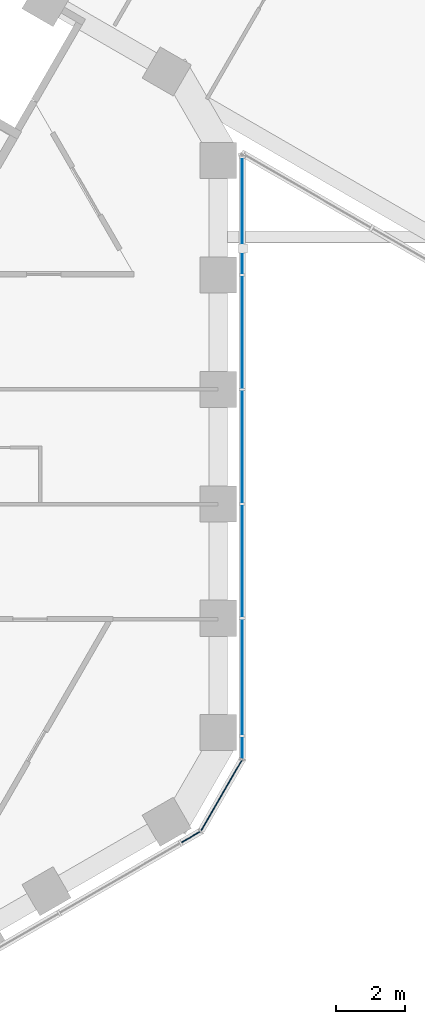
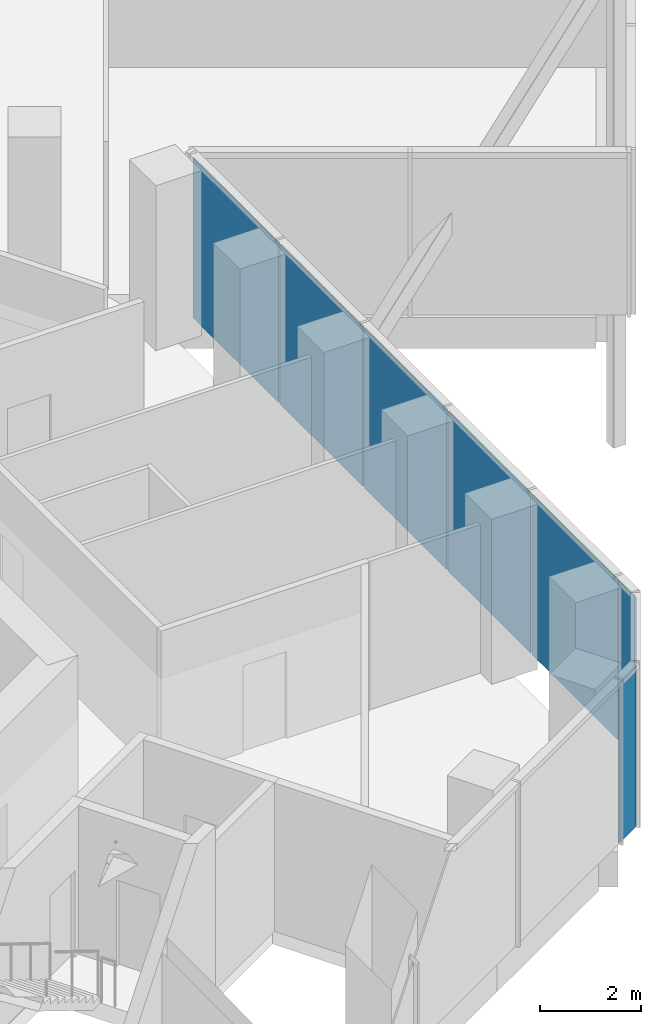
# One storey, part 14 of 25: 8 plates, 2 elements without a shape of their own.
"""IFC4 building model written with IfcOpenShell, lengths in metres."""

import ifcopenshell
import ifcopenshell.guid

model = None  # the IFC model being written
_history = None  # IfcOwnerHistory: only IFC2X3 demands one
_inside = {}  # id of a spatial element -> (the spatial element, [elements in it])
_under = {}  # id of a project, library or spatial element -> (it, [spatial elements below it])
_declared = {}  # id of a project -> (the project, [libraries it declares])
_typed = {}  # id of a type object -> (the type object, [elements of that type])
_made_of = {}  # id of a material, layer set ... -> (it, [elements and type objects made of it])


def new_model(schema):
    """Start an empty IFC model of exactly this schema.

    Asked for "IFC4X3", IfcOpenShell would pick the latest addendum, in which some entities
    have other attributes; the version numbers below select the first issue.
    IFC2X3 requires an IfcOwnerHistory on every rooted entity: one is made here for all.
    """
    global model, _history
    if schema == "IFC4X3":
        model = ifcopenshell.file(schema_version=(4, 3, 0, 0))
    else:
        model = ifcopenshell.file(schema=schema)
    _inside.clear()
    _under.clear()
    _declared.clear()
    _typed.clear()
    _made_of.clear()
    _history = None
    if model.schema == "IFC2X3":
        org = make("IfcOrganization", Name="unknown")
        user = make(
            "IfcPersonAndOrganization",
            ThePerson=make("IfcPerson", FamilyName="unknown"),
            TheOrganization=org,
        )
        app = make(
            "IfcApplication",
            ApplicationDeveloper=org,
            Version="unknown",
            ApplicationFullName="unknown",
            ApplicationIdentifier="unknown",
        )
        _history = make(
            "IfcOwnerHistory",
            OwningUser=user,
            OwningApplication=app,
            ChangeAction="ADDED",
            CreationDate=0,
        )
    return model


def make(cls, **values):
    """One entity of the class cls with the attributes given. An attribute that is None is left unset."""
    return model.create_entity(
        cls, **{name: value for name, value in values.items() if value is not None}
    )


def rooted(cls, **values):
    """An entity with a GlobalId (a new one), such as an element, a storey or a relation."""
    return make(cls, GlobalId=ifcopenshell.guid.new(), OwnerHistory=_history, **values)


def si_unit(unit_type, name, prefix=None):
    """IfcSIUnit, for example si_unit("LENGTHUNIT", "METRE", prefix="MILLI")."""
    return make("IfcSIUnit", UnitType=unit_type, Prefix=prefix, Name=name)


def assignment(units):
    """IfcUnitAssignment: the units of a project."""
    return None if units is None else make("IfcUnitAssignment", Units=units)


def point(xyz):
    """IfcCartesianPoint."""
    return None if xyz is None else make("IfcCartesianPoint", Coordinates=xyz)


def direction(xyz):
    """IfcDirection."""
    return None if xyz is None else make("IfcDirection", DirectionRatios=xyz)


def frame(location, z_axis=None, x_axis=None):
    """IfcAxis2Placement3D, a coordinate frame: its origin and axes. An axis left out is left unset."""
    return make(
        "IfcAxis2Placement3D",
        Location=point(location),
        Axis=direction(z_axis),
        RefDirection=direction(x_axis),
    )


def frame_2d(location, x_axis=None):
    """IfcAxis2Placement2D, a coordinate frame in the plane: its origin and x axis."""
    return make(
        "IfcAxis2Placement2D", Location=point(location), RefDirection=direction(x_axis)
    )


def origin():
    """The frame at (0, 0, 0) with its axes left unset."""
    return frame((0.0, 0.0, 0.0))


def origin_2d():
    """The frame at (0, 0) in the plane with its x axis left unset."""
    return frame_2d((0.0, 0.0))


def place(relative_to, where):
    """IfcLocalPlacement: puts the frame where relative to a parent placement (None: the world)."""
    return make(
        "IfcLocalPlacement", PlacementRelTo=relative_to, RelativePlacement=where
    )


def context(
    kind, dimensions, precision=None, world=None, true_north=None, identifier=None
):
    """IfcGeometricRepresentationContext, for example the 3D "Model" context."""
    return make(
        "IfcGeometricRepresentationContext",
        ContextIdentifier=identifier,
        ContextType=kind,
        CoordinateSpaceDimension=dimensions,
        Precision=precision,
        WorldCoordinateSystem=world,
        TrueNorth=true_north,
    )


def subcontext(parent, identifier, kind, view, scale=None):
    """IfcGeometricRepresentationSubContext, for example "Body" below "Model"."""
    return make(
        "IfcGeometricRepresentationSubContext",
        ContextIdentifier=identifier,
        ContextType=kind,
        ParentContext=parent,
        TargetScale=scale,
        TargetView=view,
    )


def project(units=None, contexts=None):
    """IfcProject with its units and contexts."""
    return rooted(
        "IfcProject",
        Name="project",
        RepresentationContexts=contexts,
        UnitsInContext=assignment(units),
    )


def spatial(cls, under=None, at=None, **own):
    """A site, building, storey or space (cls), placed at a placement, below another one or the project."""
    s = rooted(cls, ObjectPlacement=at, **own)
    if under is not None:
        _under.setdefault(under.id(), (under, []))[1].append(s)
    return s


def profile(cls, at=None, kind="AREA", **sizes):
    """A parametric profile (cls). Its sizes go by their IFC names, for example OverallWidth=200.0."""
    return make(cls, ProfileType=kind, Position=at, **sizes)


def rectangle(**sizes):
    """IfcRectangleProfileDef."""
    return profile("IfcRectangleProfileDef", **sizes)


def extrude(swept, where, along, depth):
    """IfcExtrudedAreaSolid: the profile swept, set in the frame where, extruded along a direction by depth."""
    return make(
        "IfcExtrudedAreaSolid",
        SweptArea=swept,
        Position=where,
        ExtrudedDirection=direction(along),
        Depth=depth,
    )


def shape(context_of_items, identifier, shape_type, items):
    """IfcShapeRepresentation: the items that make up one representation, for example the "Body"."""
    return make(
        "IfcShapeRepresentation",
        ContextOfItems=context_of_items,
        RepresentationIdentifier=identifier,
        RepresentationType=shape_type,
        Items=items,
    )


def material(Name=None, Category=None):
    """IfcMaterial."""
    return make("IfcMaterial", Name=Name, Category=Category)


def layer(
    of_material, thickness, ventilated=None, Name=None, Category=None, Priority=None
):
    """IfcMaterialLayer: one layer of a wall or slab, of a material (None: an air gap)."""
    return make(
        "IfcMaterialLayer",
        Material=of_material,
        LayerThickness=thickness,
        IsVentilated=ventilated,
        Name=Name,
        Category=Category,
        Priority=Priority,
    )


def layer_set(layers, Name=None):
    """IfcMaterialLayerSet."""
    return make("IfcMaterialLayerSet", MaterialLayers=layers, LayerSetName=Name)


def made_of(thing, what):
    """Note that an element or type object is made of a material, layer set ...; save() writes the relation."""
    if what is not None:
        _made_of.setdefault(what.id(), (what, []))[1].append(thing)
    return thing


def type_object(cls, material=None, **own):
    """A type object (cls), such as IfcWallType, which elements share."""
    return made_of(rooted(cls, **own), material)


def element(
    cls,
    number,
    at=None,
    inside=None,
    cuts=None,
    type_object=None,
    material=None,
    context=None,
    identifier="Body",
    shape_type=None,
    held_by="IfcProductDefinitionShape",
    body=None,
    shapes=None,
    **own,
):
    """One element of the class cls, such as IfcWall. Its Tag is "e" and its number.

    at: its placement. inside: the storey or other place that contains it. cuts: it is an
    opening in that element (IfcRelVoidsElement). A single representation is given by context,
    identifier, shape_type and body (its items); several are given by shapes. held_by: the class
    of the entity that holds the representations. save() writes the other relations.
    """
    e = rooted(cls, Tag="e%d" % number, ObjectPlacement=at, **own)
    if body is not None:
        shapes = [shape(context, identifier, shape_type, body)]
    if shapes is not None:
        e.Representation = make(held_by, Representations=shapes)
    if inside is not None:
        _inside.setdefault(inside.id(), (inside, []))[1].append(e)
    if cuts is not None:
        rooted(
            "IfcRelVoidsElement", RelatingBuildingElement=cuts, RelatedOpeningElement=e
        )
    if type_object is not None:
        _typed.setdefault(type_object.id(), (type_object, []))[1].append(e)
    return made_of(e, material)


def aggregate(whole, parts):
    """IfcRelAggregates: a whole, such as a stair, and the parts it consists of."""
    return rooted("IfcRelAggregates", RelatingObject=whole, RelatedObjects=parts)


def save(model, path):
    """Write the relations noted so far, then the file.

    IfcRelAggregates (storeys below a building ...), IfcRelContainedInSpatialStructure (elements
    in a storey), IfcRelDefinesByType, IfcRelAssociatesMaterial and IfcRelDeclares: one each for
    every whole, place, type object, material and project.
    """
    for whole, parts in _under.values():
        aggregate(whole, parts)
    for where, things in _inside.values():
        rooted(
            "IfcRelContainedInSpatialStructure",
            RelatedElements=things,
            RelatingStructure=where,
        )
    for kind, things in _typed.values():
        rooted("IfcRelDefinesByType", RelatedObjects=things, RelatingType=kind)
    for what, things in _made_of.values():
        rooted("IfcRelAssociatesMaterial", RelatedObjects=things, RelatingMaterial=what)
    for by, libraries in _declared.values():
        rooted("IfcRelDeclares", RelatingContext=by, RelatedDefinitions=libraries)
    model.write(path)


model = new_model("IFC4")

# Units and contexts
model_context = context("Model", 3, precision=1e-05, world=origin(), true_north=direction((0.0, 1.0)))
body_context = subcontext(model_context, "Body", "Model", "MODEL_VIEW")
ifc_project = project(units=[si_unit("LENGTHUNIT", "METRE"), si_unit("AREAUNIT", "SQUARE_METRE"), si_unit("VOLUMEUNIT", "CUBIC_METRE"), si_unit("PLANEANGLEUNIT", "RADIAN"), si_unit("MASSUNIT", "GRAM", prefix="KILO")], contexts=[model_context])

# Site, building, storey
site_placement = place(None, origin())
site = spatial("IfcSite", under=ifc_project, at=site_placement, CompositionType="ELEMENT")
building_placement = place(site_placement, origin())
building = spatial("IfcBuilding", under=site, at=building_placement, Name="Ayvan Gate Tower", CompositionType="ELEMENT")
storey_placement = place(building_placement, frame((0.0, 0.0, 139.89990234375)))
storey = spatial("IfcBuildingStorey", under=building, at=storey_placement, Name="L37", CompositionType="ELEMENT", Elevation=139.89990234375)

# Curtain wall, plates
ifc_material_1 = material(Name="Bronze anodised aluminium", Category="aluminium")
ifc_layer_1 = layer(ifc_material_1, 0.199951171875)
ifc_layer_set_1 = layer_set([ifc_layer_1], Name="Bronze anodised aluminium")
curtain_wall_type_1 = type_object("IfcCurtainWallType", Name="Stick curtain wall CW-1", PredefinedType="NOTDEFINED", material=ifc_layer_set_1)
curtain_wall_1_placement = place(storey_placement, origin())
curtain_wall_1 = element("IfcCurtainWall", 1, at=curtain_wall_1_placement, inside=storey, type_object=curtain_wall_type_1, Name="Stick curtain wall CW-1 L37", PredefinedType="NOTDEFINED")
ifc_material_2 = material(Name="Clear low-iron laminated glass", Category="glass")
ifc_layer_2 = layer(ifc_material_2, 0.028076171875)
ifc_layer_set_2 = layer_set([ifc_layer_2], Name="Clear low-iron laminated glass")
plate_type_1 = type_object("IfcPlateType", Name="Stick curtain wall CW-1 glass panel", PredefinedType="CURTAIN_PANEL", material=ifc_layer_set_2)
plate_1_placement = place(storey_placement, frame((20.185546875, -6.732177734375, 0.000244140625), z_axis=(0.0, 0.0, 1.0), x_axis=(0.0, 1.0, 0.0)))
plate_1 = element("IfcPlate", 2, at=plate_1_placement, type_object=plate_type_1, Name="CW-1 glass panel 1", PredefinedType="CURTAIN_PANEL", context=body_context, shape_type="SweptSolid", body=[
    extrude(rectangle(XDim=3.406005859375, YDim=0.028076171875, at=origin_2d()), origin(), (0.0, 0.0, 1.0), 3.8798828125),
])
plate_2_placement = place(storey_placement, frame((20.185546875, -3.332763671875, 0.000244140625), z_axis=(0.0, 0.0, 1.0), x_axis=(0.0, 1.0, 0.0)))
plate_2 = element("IfcPlate", 3, at=plate_2_placement, type_object=plate_type_1, Name="CW-1 glass panel 2", PredefinedType="CURTAIN_PANEL", context=body_context, shape_type="SweptSolid", body=[
    extrude(rectangle(XDim=3.27294921875, YDim=0.028076171875, at=origin_2d()), origin(), (0.0, 0.0, 1.0), 3.8798828125),
])
plate_3_placement = place(storey_placement, frame((20.185546875, 0.000244140625, 0.000244140625), z_axis=(0.0, 0.0, 1.0), x_axis=(0.0, 1.0, 0.0)))
plate_3 = element("IfcPlate", 4, at=plate_3_placement, type_object=plate_type_1, Name="CW-1 glass panel 3", PredefinedType="CURTAIN_PANEL", context=body_context, shape_type="SweptSolid", body=[
    extrude(rectangle(XDim=3.27294921875, YDim=0.028076171875, at=origin_2d()), origin(), (0.0, 0.0, 1.0), 3.8798828125),
])
plate_4_placement = place(storey_placement, frame((20.185546875, 3.333251953125, 0.000244140625), z_axis=(0.0, 0.0, 1.0), x_axis=(0.0, 1.0, 0.0)))
plate_4 = element("IfcPlate", 5, at=plate_4_placement, type_object=plate_type_1, Name="CW-1 glass panel 4", PredefinedType="CURTAIN_PANEL", context=body_context, shape_type="SweptSolid", body=[
    extrude(rectangle(XDim=3.27294921875, YDim=0.028076171875, at=origin_2d()), origin(), (0.0, 0.0, 1.0), 3.8798828125),
])
plate_5_placement = place(storey_placement, frame((20.185546875, 6.732421875, 0.000244140625), z_axis=(0.0, 0.0, 1.0), x_axis=(0.0, 1.0, 0.0)))
plate_5 = element("IfcPlate", 6, at=plate_5_placement, type_object=plate_type_1, Name="CW-1 glass panel 5", PredefinedType="CURTAIN_PANEL", context=body_context, shape_type="SweptSolid", body=[
    extrude(rectangle(XDim=3.405517578125, YDim=0.028076171875, at=origin_2d()), origin(), (0.0, 0.0, 1.0), 3.8798828125),
])
aggregate(curtain_wall_1, [plate_1, plate_2, plate_3, plate_4, plate_5])

ifc_layer_3 = layer(ifc_material_1, 0.199951171875)
ifc_layer_set_3 = layer_set([ifc_layer_3], Name="Bronze anodised aluminium")
curtain_wall_type_2 = type_object("IfcCurtainWallType", Name="Stick curtain wall CW-6", PredefinedType="NOTDEFINED", material=ifc_layer_set_3)
curtain_wall_2_placement = place(storey_placement, origin())
curtain_wall_2 = element("IfcCurtainWall", 7, at=curtain_wall_2_placement, inside=storey, type_object=curtain_wall_type_2, Name="Stick curtain wall CW-6 L37", PredefinedType="NOTDEFINED")
ifc_layer_4 = layer(ifc_material_2, 0.028076171875)
ifc_layer_set_4 = layer_set([ifc_layer_4], Name="Clear low-iron laminated glass")
plate_type_2 = type_object("IfcPlateType", Name="Stick curtain wall CW-6 glass panel", PredefinedType="CURTAIN_PANEL", material=ifc_layer_set_4)
plate_6_placement = place(storey_placement, frame((18.68603515625, -11.375, 0.000244140625), z_axis=(0.0, 0.0, 1.0), x_axis=(0.866025403784, 0.5, 0.0)))
plate_6 = element("IfcPlate", 8, at=plate_6_placement, type_object=plate_type_2, Name="CW-6 glass panel 1", PredefinedType="CURTAIN_PANEL", context=body_context, shape_type="SweptSolid", body=[
    extrude(rectangle(XDim=0.625, YDim=0.028076171875, at=origin_2d()), origin(), (0.0, 0.0, 1.0), 3.8798828125),
])
plate_7_placement = place(storey_placement, frame((19.58203125, -10.160888671875, 0.000244140625), z_axis=(0.0, 0.0, 1.0), x_axis=(0.5, 0.866025403784, 0.0)))
plate_7 = element("IfcPlate", 9, at=plate_7_placement, type_object=plate_type_2, Name="CW-6 glass panel 2", PredefinedType="CURTAIN_PANEL", context=body_context, shape_type="SweptSolid", body=[
    extrude(rectangle(XDim=2.364501953125, YDim=0.028076171875, at=origin_2d()), origin(), (0.0, 0.0, 1.0), 3.8798828125),
])
plate_8_placement = place(storey_placement, frame((20.185546875, -8.77783203125, 0.000244140625), z_axis=(0.0, 0.0, 1.0), x_axis=(0.0, 1.0, 0.0)))
plate_8 = element("IfcPlate", 10, at=plate_8_placement, type_object=plate_type_2, Name="CW-6 glass panel 3", PredefinedType="CURTAIN_PANEL", context=body_context, shape_type="SweptSolid", body=[
    extrude(rectangle(XDim=0.625, YDim=0.028076171875, at=origin_2d()), origin(), (0.0, 0.0, 1.0), 3.8798828125),
])
aggregate(curtain_wall_2, [plate_6, plate_7, plate_8])

save(model, "model.ifc")
